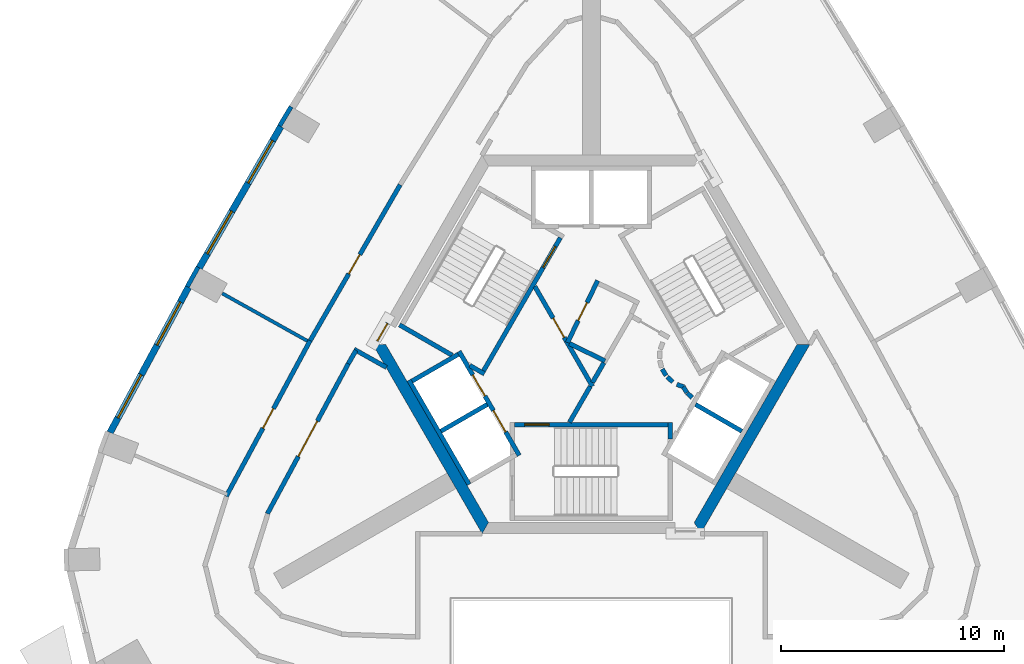
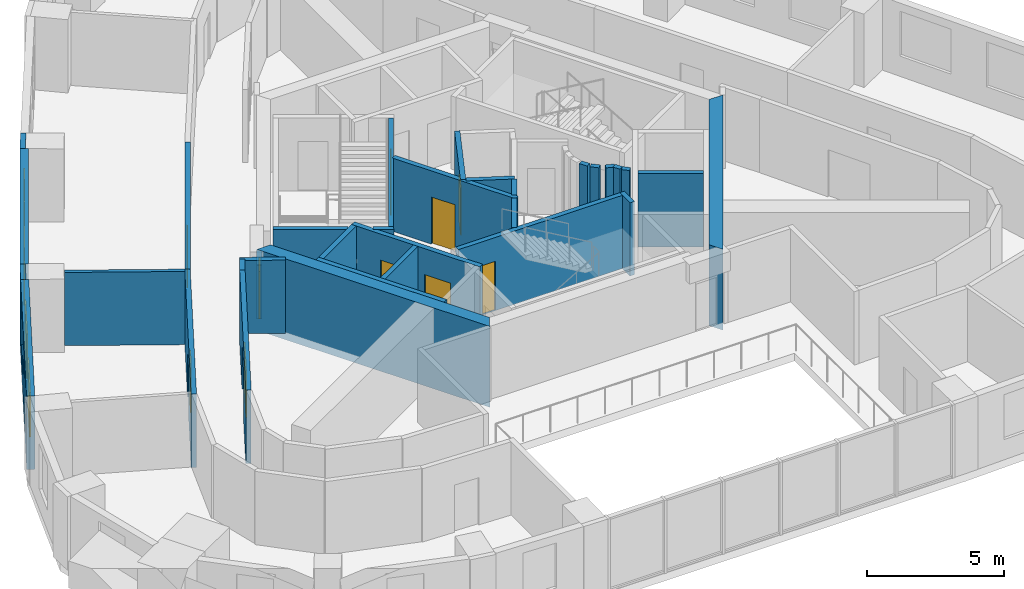
# One storey, part 4 of 9: 33 walls, 10 doors, 4 windows, 14 openings.
"""IFC4 building model written with IfcOpenShell, lengths in metres."""

from ifc_helpers import new_model, si_unit, direction, frame, frame_2d, origin, place, context, subcontext, project, spatial, polyline, rectangle, outline, extrude, material, layer, layer_set, type_object, element, fill, save


model = new_model("IFC4")

# Units and contexts
model_context = context("Model", 3, precision=1e-05, world=origin(), true_north=direction((0.0, 1.0)))
body_context = subcontext(model_context, "Body", "Model", "MODEL_VIEW")
ifc_project = project(units=[si_unit("LENGTHUNIT", "METRE"), si_unit("AREAUNIT", "SQUARE_METRE"), si_unit("VOLUMEUNIT", "CUBIC_METRE"), si_unit("PLANEANGLEUNIT", "RADIAN"), si_unit("MASSUNIT", "GRAM", prefix="KILO")], contexts=[model_context])

# Site, building, storey
site_placement = place(None, origin())
site = spatial("IfcSite", under=ifc_project, at=site_placement, CompositionType="ELEMENT")
building_placement = place(site_placement, origin())
building = spatial("IfcBuilding", under=site, at=building_placement, Name="Entoto Arch Interchange Tower", CompositionType="ELEMENT")
storey_placement = place(building_placement, frame((0.0, 0.0, 315.199951171875)))
storey = spatial("IfcBuildingStorey", under=building, at=storey_placement, Name="L74", CompositionType="ELEMENT", Elevation=315.199951171875)

# Wall, opening, door
ifc_material_1 = material(Name="Reinforced concrete C40/50", Category="concrete")
ifc_layer_1 = layer(ifc_material_1, 0.199951171875)
ifc_layer_set_1 = layer_set([ifc_layer_1], Name="Reinforced concrete C40/50")
wall_type_1 = type_object("IfcWallType", Name="CORE GAP INFILL WALL", PredefinedType="PARTITIONING", material=ifc_layer_set_1)
wall_1_placement = place(storey_placement, frame((-9.14990234375, 3.451904296875, 0.0), z_axis=(0.0, 0.0, 1.0), x_axis=(-0.500079945886, -0.865979242085, 0.0)))
wall_1 = element("IfcWall", 1, at=wall_1_placement, inside=storey, type_object=wall_type_1, Name="wall:L74:gap3", PredefinedType="PARTITIONING", context=body_context, shape_type="SweptSolid", body=[
    extrude(rectangle(XDim=0.926025390625, YDim=0.199951171875, at=frame_2d((0.462890625, 0.0))), origin(), (0.0, 0.0, 1.0), 2.400146484375),
])
opening_1_placement = place(wall_1_placement, frame((0.01708984375, 0.0, 0.0)))
opening_1 = element("IfcOpeningElement", 2, at=opening_1_placement, cuts=wall_1, Name="Opening L74-D93", PredefinedType="OPENING", context=body_context, shape_type="SweptSolid", body=[
    extrude(rectangle(XDim=0.89990234375, YDim=2.10009765625, at=frame_2d((0.449951171875, 1.050048828125))), frame((0.0, 0.10986328125, 0.0), z_axis=(0.0, -1.0, 0.0), x_axis=(1.0, 0.0, 0.0)), (0.0, 0.0, 1.0), 0.219970703125),
])
ifc_material_2 = material(Name="Fire-rated Steel S235 door and frame", Category="steel")
door_type_1 = type_object("IfcDoorType", Name="DOOR FD-09 900x2100", OperationType="SINGLE_SWING_LEFT", PredefinedType="DOOR", material=ifc_material_2)
door_1_placement = place(opening_1_placement, origin())
door_1 = element("IfcDoor", 3, at=door_1_placement, inside=storey, type_object=door_type_1, Name="door:L74:gap3", OperationType="SINGLE_SWING_LEFT", OverallHeight=2.10009765625, OverallWidth=0.89990234375, PredefinedType="DOOR", context=body_context, shape_type="SweptSolid", body=[
    extrude(rectangle(XDim=0.89990234375, YDim=2.10009765625, at=frame_2d((0.449951171875, 1.050048828125))), frame((0.0, 0.02490234375, 0.0), z_axis=(0.0, -1.0, 0.0), x_axis=(1.0, 0.0, 0.0)), (0.0, 0.0, 1.0), 0.050048828125),
])
fill(opening_1, door_1)

# Walls
ifc_material_3 = material(Name="Concrete C40/50", Category="concrete")
ifc_layer_2 = layer(ifc_material_3, 0.5)
ifc_layer_set_2 = layer_set([ifc_layer_2], Name="Concrete C40/50")
wall_type_2 = type_object("IfcWallType", Name="Core wall 500 C40/50", PredefinedType="SHEAR", material=ifc_layer_set_2)
wall_2_placement = place(storey_placement, frame((0.0, 0.0, -0.33984375)))
element("IfcWall", 4, at=wall_2_placement, inside=storey, type_object=wall_type_2, Name="Core wall SW L74", PredefinedType="SHEAR", context=body_context, shape_type="SweptSolid", body=[
    extrude(outline(polyline([(-9.81494140625, 2.5), (-4.906982421875, -6.0), (-4.618896484375, -5.5), (-9.238037109375, 2.5), (-9.81494140625, 2.5)])), origin(), (0.0, 0.0, 1.0), 3.599853515625),
])
wall_3_placement = place(storey_placement, frame((0.0, 0.0, -0.33984375)))
element("IfcWall", 5, at=wall_3_placement, inside=storey, type_object=wall_type_2, Name="Core wall SE L74", PredefinedType="SHEAR", context=body_context, shape_type="SweptSolid", body=[
    extrude(outline(polyline([(4.906982421875, -6.0), (9.81494140625, 2.5), (9.238037109375, 2.5), (4.618896484375, -5.5), (4.906982421875, -6.0)])), origin(), (0.0, 0.0, 1.0), 3.599853515625),
])

# Wall, openings, doors
ifc_layer_3 = layer(ifc_material_3, 0.199951171875)
ifc_layer_set_3 = layer_set([ifc_layer_3], Name="Concrete C40/50")
wall_type_3 = type_object("IfcWallType", Name="LIFT SHAFT WALL 200", PredefinedType="STANDARD", material=ifc_layer_set_3)
wall_4_placement = place(storey_placement, frame((-5.93994140625, 2.18798828125, 0.0), z_axis=(0.0, 0.0, 1.0), x_axis=(0.500034260056, -0.866005622828, 0.0)))
wall_4 = element("IfcWall", 6, at=wall_4_placement, inside=storey, type_object=wall_type_3, Name="Shaft wall SW1 front", PredefinedType="STANDARD", context=body_context, shape_type="SweptSolid", body=[
    extrude(rectangle(XDim=5.3994140625, YDim=0.199951171875, at=frame_2d((2.69970703125, 0.0))), origin(), (0.0, 0.0, 1.0), 3.260009765625),
])
opening_2_placement = place(wall_4_placement, frame((3.074951171875, 0.0, 0.0)))
opening_2 = element("IfcOpeningElement", 7, at=opening_2_placement, cuts=wall_4, Name="Opening LD-HR4-L74", PredefinedType="OPENING", context=body_context, shape_type="SweptSolid", body=[
    extrude(rectangle(XDim=1.10009765625, YDim=2.10009765625, at=frame_2d((0.550048828125, 1.050048828125))), frame((0.0, 0.10986328125, 0.0), z_axis=(0.0, -1.0, 0.0), x_axis=(1.0, 0.0, 0.0)), (0.0, 0.0, 1.0), 0.219970703125),
])
opening_3_placement = place(wall_4_placement, frame((1.22509765625, 0.0, 0.0)))
opening_3 = element("IfcOpeningElement", 8, at=opening_3_placement, cuts=wall_4, Name="Opening LD-FF2-L74", PredefinedType="OPENING", context=body_context, shape_type="SweptSolid", body=[
    extrude(rectangle(XDim=1.10009765625, YDim=2.10009765625, at=frame_2d((0.550048828125, 1.050048828125))), frame((0.0, 0.10986328125, 0.0), z_axis=(0.0, -1.0, 0.0), x_axis=(1.0, 0.0, 0.0)), (0.0, 0.0, 1.0), 0.219970703125),
])
ifc_material_4 = material(Name="Stainless steel 1.4301 panels", Category="steel")
door_type_2 = type_object("IfcDoorType", Name="LIFT LANDING DOOR LD1 1100x2100", OperationType="SLIDING_TO_LEFT", PredefinedType="DOOR", material=ifc_material_4)
door_2_placement = place(opening_2_placement, origin())
door_2 = element("IfcDoor", 9, at=door_2_placement, inside=storey, type_object=door_type_2, Name="Lift landing door HR4 L74", OperationType="SLIDING_TO_LEFT", OverallHeight=2.10009765625, OverallWidth=1.10009765625, PredefinedType="DOOR", context=body_context, shape_type="SweptSolid", body=[
    extrude(rectangle(XDim=1.10009765625, YDim=2.10009765625, at=frame_2d((0.550048828125, 1.050048828125))), frame((0.0, 0.02490234375, 0.0), z_axis=(0.0, -1.0, 0.0), x_axis=(1.0, 0.0, 0.0)), (0.0, 0.0, 1.0), 0.050048828125),
])
fill(opening_2, door_2)
door_3_placement = place(opening_3_placement, origin())
door_3 = element("IfcDoor", 10, at=door_3_placement, inside=storey, type_object=door_type_2, Name="Lift landing door FF2 L74", OperationType="SLIDING_TO_LEFT", OverallHeight=2.10009765625, OverallWidth=1.10009765625, PredefinedType="DOOR", context=body_context, shape_type="SweptSolid", body=[
    extrude(rectangle(XDim=1.10009765625, YDim=2.10009765625, at=frame_2d((0.550048828125, 1.050048828125))), frame((0.0, 0.02490234375, 0.0), z_axis=(0.0, -1.0, 0.0), x_axis=(1.0, 0.0, 0.0)), (0.0, 0.0, 1.0), 0.050048828125),
])
fill(opening_3, door_3)

# Walls
wall_5_placement = place(storey_placement, frame((-8.19189453125, 0.887939453125, 0.0), z_axis=(0.0, 0.0, 1.0), x_axis=(0.500034260056, -0.866005622828, 0.0)))
element("IfcWall", 11, at=wall_5_placement, inside=storey, type_object=wall_type_3, Name="Shaft wall SW1 back", PredefinedType="STANDARD", context=body_context, shape_type="SweptSolid", body=[
    extrude(rectangle(XDim=5.3994140625, YDim=0.199951171875, at=frame_2d((2.69970703125, 0.0))), origin(), (0.0, 0.0, 1.0), 3.260009765625),
])
for number, where, z_axis, x_axis, name in (
    (12, (-5.97705078125, 2.052001953125, 0.0), (0.0, 0.0, 1.0), (-0.865973769406, -0.500089422704, 0.0), "Shaft wall SW1 cross 1"),
    (13, (-4.677001953125, -0.199951171875, 0.0), (0.0, 0.0, 1.0), (-0.865973769406, -0.500089422704, 0.0), "Shaft wall SW1 cross 2"),
    (14, (4.677001953125, -0.199951171875, 0.0), (0.0, 0.0, 1.0), (0.865973769406, -0.500089422704, 0.0), "Shaft wall SE1 cross 2"),
):
    element("IfcWall", number, at=place(storey_placement, frame(where, z_axis=z_axis, x_axis=x_axis)), inside=storey, type_object=wall_type_3, Name=name, PredefinedType="STANDARD", context=body_context, shape_type="SweptSolid", body=[
        extrude(rectangle(XDim=2.3994140625, YDim=0.199951171875, at=frame_2d((1.19970703125, 0.0))), origin(), (0.0, 0.0, 1.0), 3.260009765625),
    ])
ifc_material_5 = material(Name="Gypsum board partition on steel studs", Category="steel")
ifc_layer_4 = layer(ifc_material_5, 0.14990234375)
ifc_layer_set_4 = layer_set([ifc_layer_4], Name="Gypsum board partition on steel studs")
wall_type_4 = type_object("IfcWallType", Name="PARTITION 150", PredefinedType="PARTITIONING", material=ifc_layer_set_4)
wall_6_placement = place(storey_placement, frame((-12.7509765625, 2.654052734375, 0.0), z_axis=(0.0, 0.0, 1.0), x_axis=(-0.873277679945, 0.487222837837, 0.0)))
element("IfcWall", 15, at=wall_6_placement, inside=storey, type_object=wall_type_4, Name="wall:L74:p073", PredefinedType="PARTITIONING", context=body_context, shape_type="SweptSolid", body=[
    extrude(rectangle(XDim=4.3798828125, YDim=0.14990234375, at=frame_2d((2.18994140625, 0.0))), origin(), (0.0, 0.0, 1.0), 3.260009765625),
])

# Wall, opening, door
ifc_layer_5 = layer(ifc_material_5, 0.199951171875)
ifc_layer_set_5 = layer_set([ifc_layer_5], Name="Gypsum board partition on steel studs")
wall_type_5 = type_object("IfcWallType", Name="PARTITION 200", PredefinedType="PARTITIONING", material=ifc_layer_set_5)
wall_7_placement = place(storey_placement, frame((0.284912109375, 5.364990234375, 0.0), z_axis=(0.0, 0.0, 1.0), x_axis=(-0.43840190643, -0.898779043168, 0.0)))
wall_7 = element("IfcWall", 16, at=wall_7_placement, inside=storey, type_object=wall_type_5, Name="wall:L74:p004", PredefinedType="PARTITIONING", context=body_context, shape_type="SweptSolid", body=[
    extrude(rectangle(XDim=3.099609375, YDim=0.199951171875, at=frame_2d((1.5498046875, 0.0))), origin(), (0.0, 0.0, 1.0), 3.260009765625),
])
opening_4_placement = place(wall_7_placement, frame((1.10009765625, 0.0, 0.0)))
opening_4 = element("IfcOpeningElement", 17, at=opening_4_placement, cuts=wall_7, Name="Opening L74-D14", PredefinedType="OPENING", context=body_context, shape_type="SweptSolid", body=[
    extrude(rectangle(XDim=0.89990234375, YDim=2.10009765625, at=frame_2d((0.449951171875, 1.050048828125))), frame((0.0, 0.10986328125, 0.0), z_axis=(0.0, -1.0, 0.0), x_axis=(1.0, 0.0, 0.0)), (0.0, 0.0, 1.0), 0.219970703125),
])
ifc_material_6 = material(Name="Timber door leaf in Steel S235 frame", Category="steel")
door_type_3 = type_object("IfcDoorType", Name="DOOR DS-09 900x2100", OperationType="SINGLE_SWING_LEFT", PredefinedType="DOOR", material=ifc_material_6)
door_4_placement = place(opening_4_placement, origin())
door_4 = element("IfcDoor", 18, at=door_4_placement, inside=storey, type_object=door_type_3, Name="door:L74:14", OperationType="SINGLE_SWING_RIGHT", OverallHeight=2.10009765625, OverallWidth=0.89990234375, PredefinedType="DOOR", context=body_context, shape_type="SweptSolid", body=[
    extrude(rectangle(XDim=0.89990234375, YDim=2.10009765625, at=frame_2d((0.449951171875, 1.050048828125))), frame((0.0, 0.02490234375, 0.0), z_axis=(0.0, -1.0, 0.0), x_axis=(1.0, 0.0, 0.0)), (0.0, 0.0, 1.0), 0.050048828125),
])
fill(opening_4, door_4)

# Walls
wall_8_placement = place(storey_placement, frame((-0.98388671875, 2.534912109375, 0.0), z_axis=(0.0, 0.0, 1.0), x_axis=(0.898707583217, -0.438548378025, 0.0)))
element("IfcWall", 19, at=wall_8_placement, inside=storey, type_object=wall_type_5, Name="wall:L74:p005", PredefinedType="PARTITIONING", context=body_context, shape_type="SweptSolid", body=[
    extrude(rectangle(XDim=1.773681640625, YDim=0.199951171875, at=frame_2d((0.88671875, 0.0))), origin(), (0.0, 0.0, 1.0), 3.260009765625),
])
wall_9_placement = place(storey_placement, frame((-9.202880859375, 1.465087890625, 0.0), z_axis=(0.0, 0.0, 1.0), x_axis=(-0.872341127106, 0.488897696823, 0.0)))
element("IfcWall", 20, at=wall_9_placement, inside=storey, type_object=wall_type_5, Name="wall:L74:p022", PredefinedType="PARTITIONING", context=body_context, shape_type="SweptSolid", body=[
    extrude(rectangle(XDim=1.6669921875, YDim=0.199951171875, at=frame_2d((0.83349609375, 0.0))), origin(), (0.0, 0.0, 1.0), 3.260009765625),
])
wall_10_placement = place(storey_placement, frame((-10.570068359375, 2.23193359375, 0.0), z_axis=(0.0, 0.0, 1.0), x_axis=(-0.500037208726, -0.86600392025, 0.0)))
element("IfcWall", 21, at=wall_10_placement, inside=storey, type_object=wall_type_5, Name="wall:L74:p023", PredefinedType="PARTITIONING", context=body_context, shape_type="SweptSolid", body=[
    extrude(rectangle(XDim=0.69384765625, YDim=0.199951171875, at=frame_2d((0.346923828125, 0.0))), origin(), (0.0, 0.0, 1.0), 3.260009765625),
])

# Wall, opening, door
wall_11_placement = place(storey_placement, frame((-10.9169921875, 1.631103515625, 0.0), z_axis=(0.0, 0.0, 1.0), x_axis=(-0.47449538478, -0.880257990491, 0.0)))
wall_11 = element("IfcWall", 22, at=wall_11_placement, inside=storey, type_object=wall_type_5, Name="wall:L74:p024", PredefinedType="PARTITIONING", context=body_context, shape_type="SweptSolid", body=[
    extrude(rectangle(XDim=7.654541015625, YDim=0.199951171875, at=frame_2d((3.8271484375, 0.0))), origin(), (0.0, 0.0, 1.0), 3.260009765625),
])
opening_5_placement = place(wall_11_placement, frame((2.927001953125, 0.0, 0.0)))
opening_5 = element("IfcOpeningElement", 23, at=opening_5_placement, cuts=wall_11, Name="Opening L74-D11", PredefinedType="OPENING", context=body_context, shape_type="SweptSolid", body=[
    extrude(rectangle(XDim=1.800048828125, YDim=2.10009765625, at=frame_2d((0.89990234375, 1.050048828125))), frame((0.0, 0.10986328125, 0.0), z_axis=(0.0, -1.0, 0.0), x_axis=(1.0, 0.0, 0.0)), (0.0, 0.0, 1.0), 0.219970703125),
])
door_type_4 = type_object("IfcDoorType", Name="DOOR DD-18 1800x2100", OperationType="DOUBLE_DOOR_SINGLE_SWING", PredefinedType="DOOR", material=ifc_material_6)
door_5_placement = place(opening_5_placement, origin())
door_5 = element("IfcDoor", 24, at=door_5_placement, inside=storey, type_object=door_type_4, Name="door:L74:11", OperationType="DOUBLE_DOOR_SINGLE_SWING", OverallHeight=2.10009765625, OverallWidth=1.800048828125, PredefinedType="DOOR", context=body_context, shape_type="SweptSolid", body=[
    extrude(rectangle(XDim=1.800048828125, YDim=2.10009765625, at=frame_2d((0.89990234375, 1.050048828125))), frame((0.0, 0.02490234375, 0.0), z_axis=(0.0, -1.0, 0.0), x_axis=(1.0, 0.0, 0.0)), (0.0, 0.0, 1.0), 0.050048828125),
])
fill(opening_5, door_5)

wall_12_placement = place(storey_placement, frame((-12.700927734375, 2.5400390625, 0.0), z_axis=(0.0, 0.0, 1.0), x_axis=(0.499946799636, 0.86605611685, 0.0)))
wall_12 = element("IfcWall", 25, at=wall_12_placement, inside=storey, type_object=wall_type_5, Name="wall:L74:p042", PredefinedType="PARTITIONING", context=body_context, shape_type="SweptSolid", body=[
    extrude(rectangle(XDim=8.22705078125, YDim=0.199951171875, at=frame_2d((4.113525390625, 0.0))), origin(), (0.0, 0.0, 1.0), 3.260009765625),
])
opening_6_placement = place(wall_12_placement, frame((3.613037109375, 0.0, 0.0)))
opening_6 = element("IfcOpeningElement", 26, at=opening_6_placement, cuts=wall_12, Name="Opening L74-D05", PredefinedType="OPENING", context=body_context, shape_type="SweptSolid", body=[
    extrude(rectangle(XDim=1.0, YDim=2.10009765625, at=frame_2d((0.5, 1.050048828125))), frame((0.0, 0.10986328125, 0.0), z_axis=(0.0, -1.0, 0.0), x_axis=(1.0, 0.0, 0.0)), (0.0, 0.0, 1.0), 0.219970703125),
])
door_type_5 = type_object("IfcDoorType", Name="DOOR DS-10 1000x2100", OperationType="SINGLE_SWING_LEFT", PredefinedType="DOOR", material=ifc_material_6)
door_6_placement = place(opening_6_placement, origin())
door_6 = element("IfcDoor", 27, at=door_6_placement, inside=storey, type_object=door_type_5, Name="door:L74:05", OperationType="SINGLE_SWING_RIGHT", OverallHeight=2.10009765625, OverallWidth=1.0, PredefinedType="DOOR", context=body_context, shape_type="SweptSolid", body=[
    extrude(rectangle(XDim=1.0, YDim=2.10009765625, at=frame_2d((0.5, 1.050048828125))), frame((0.0, 0.02490234375, 0.0), z_axis=(0.0, -1.0, 0.0), x_axis=(1.0, 0.0, 0.0)), (0.0, 0.0, 1.0), 0.050048828125),
])
fill(opening_6, door_6)

wall_13_placement = place(storey_placement, frame((-16.39892578125, -4.324951171875, 0.0), z_axis=(0.0, 0.0, 1.0), x_axis=(0.474489967676, 0.880260910512, 0.0)))
wall_13 = element("IfcWall", 28, at=wall_13_placement, inside=storey, type_object=wall_type_5, Name="wall:L74:p044", PredefinedType="PARTITIONING", context=body_context, shape_type="SweptSolid", body=[
    extrude(rectangle(XDim=7.947509765625, YDim=0.199951171875, at=frame_2d((3.9736328125, 0.0))), origin(), (0.0, 0.0, 1.0), 3.260009765625),
])
opening_7_placement = place(wall_13_placement, frame((3.47412109375, 0.0, 0.0)))
opening_7 = element("IfcOpeningElement", 29, at=opening_7_placement, cuts=wall_13, Name="Opening L74-D06", PredefinedType="OPENING", context=body_context, shape_type="SweptSolid", body=[
    extrude(rectangle(XDim=1.0, YDim=2.10009765625, at=frame_2d((0.5, 1.050048828125))), frame((0.0, 0.10986328125, 0.0), z_axis=(0.0, -1.0, 0.0), x_axis=(1.0, 0.0, 0.0)), (0.0, 0.0, 1.0), 0.219970703125),
])
door_7_placement = place(opening_7_placement, origin())
door_7 = element("IfcDoor", 30, at=door_7_placement, inside=storey, type_object=door_type_5, Name="door:L74:06", OperationType="SINGLE_SWING_LEFT", OverallHeight=2.10009765625, OverallWidth=1.0, PredefinedType="DOOR", context=body_context, shape_type="SweptSolid", body=[
    extrude(rectangle(XDim=1.0, YDim=2.10009765625, at=frame_2d((0.5, 1.050048828125))), frame((0.0, 0.02490234375, 0.0), z_axis=(0.0, -1.0, 0.0), x_axis=(1.0, 0.0, 0.0)), (0.0, 0.0, 1.0), 0.050048828125),
])
fill(opening_7, door_7)

# Walls
wall_14_placement = place(storey_placement, frame((-0.98193359375, -1.0, 0.0), z_axis=(0.0, 0.0, 1.0), x_axis=(0.50024047865, 0.865886518847, 0.0)))
element("IfcWall", 31, at=wall_14_placement, inside=storey, type_object=wall_type_5, Name="wall:L74:p050", PredefinedType="PARTITIONING", context=body_context, shape_type="SweptSolid", body=[
    extrude(rectangle(XDim=1.86279296875, YDim=0.199951171875, at=frame_2d((0.931396484375, 0.0))), origin(), (0.0, 0.0, 1.0), 3.260009765625),
])
wall_15_placement = place(storey_placement, frame((0.050048828125, 0.787109375, 0.0), z_axis=(0.0, 0.0, 1.0), x_axis=(0.499819111317, 0.866129814729, 0.0)))
element("IfcWall", 32, at=wall_15_placement, inside=storey, type_object=wall_type_5, Name="wall:L74:p051", PredefinedType="PARTITIONING", context=body_context, shape_type="SweptSolid", body=[
    extrude(rectangle(XDim=1.0205078125, YDim=0.199951171875, at=frame_2d((0.51025390625, 0.0))), origin(), (0.0, 0.0, 1.0), 3.260009765625),
])
for number, where, z_axis, x_axis, name in (
    (33, (3.181884765625, 1.387939453125, 0.0), (0.0, 0.0, 1.0), (0.512474702713, -0.85870232274, 0.0), "wall:L74:p056"),
    (34, (3.404052734375, 1.0390625, 0.0), (0.0, 0.0, 1.0), (0.740267097712, -0.672312891476, 0.0), "wall:L74:p057"),
):
    element("IfcWall", number, at=place(storey_placement, frame(where, z_axis=z_axis, x_axis=x_axis)), inside=storey, type_object=wall_type_5, Name=name, PredefinedType="PARTITIONING", context=body_context, shape_type="SweptSolid", body=[
        extrude(rectangle(XDim=0.337646484375, YDim=0.199951171875, at=frame_2d((0.1689453125, 0.0))), origin(), (0.0, 0.0, 1.0), 3.260009765625),
    ])
wall_16_placement = place(storey_placement, frame((3.837890625, 0.701904296875, 0.0), z_axis=(0.0, 0.0, 1.0), x_axis=(0.941035081519, -0.338308993895, 0.0)))
element("IfcWall", 35, at=wall_16_placement, inside=storey, type_object=wall_type_5, Name="wall:L74:p058", PredefinedType="PARTITIONING", context=body_context, shape_type="SweptSolid", body=[
    extrude(rectangle(XDim=0.3369140625, YDim=0.199951171875, at=frame_2d((0.16845703125, 0.0))), origin(), (0.0, 0.0, 1.0), 3.260009765625),
])
wall_17_placement = place(storey_placement, frame((4.132080078125, 0.593017578125, 0.0), z_axis=(0.0, 0.0, 1.0), x_axis=(0.513561617048, -0.858052717201, 0.0)))
element("IfcWall", 36, at=wall_17_placement, inside=storey, type_object=wall_type_5, Name="wall:L74:p059", PredefinedType="PARTITIONING", context=body_context, shape_type="SweptSolid", body=[
    extrude(rectangle(XDim=0.3076171875, YDim=0.199951171875, at=frame_2d((0.15380859375, 0.0))), origin(), (0.0, 0.0, 1.0), 3.260009765625),
])
wall_18_placement = place(storey_placement, frame((4.301025390625, 0.31494140625, 0.0), z_axis=(0.0, 0.0, 1.0), x_axis=(0.741798017506, -0.670623367639, 0.0)))
element("IfcWall", 37, at=wall_18_placement, inside=storey, type_object=wall_type_5, Name="wall:L74:p060", PredefinedType="PARTITIONING", context=body_context, shape_type="SweptSolid", body=[
    extrude(rectangle(XDim=0.30859375, YDim=0.199951171875, at=frame_2d((0.154296875, 0.0))), origin(), (0.0, 0.0, 1.0), 3.260009765625),
])

# Wall, opening, door
wall_19_placement = place(storey_placement, frame((-2.5400390625, 5.10009765625, 0.0), z_axis=(0.0, 0.0, 1.0), x_axis=(0.499925051871, -0.866068670783, 0.0)))
wall_19 = element("IfcWall", 38, at=wall_19_placement, inside=storey, type_object=wall_type_5, Name="wall:L74:p061", PredefinedType="PARTITIONING", context=body_context, shape_type="SweptSolid", body=[
    extrude(rectangle(XDim=5.180908203125, YDim=0.199951171875, at=frame_2d((2.59033203125, 0.0))), origin(), (0.0, 0.0, 1.0), 3.260009765625),
])
opening_8_placement = place(wall_19_placement, frame((1.639892578125, 0.0, 0.0)))
opening_8 = element("IfcOpeningElement", 39, at=opening_8_placement, cuts=wall_19, Name="Opening L74-D13", PredefinedType="OPENING", context=body_context, shape_type="SweptSolid", body=[
    extrude(rectangle(XDim=1.0, YDim=2.10009765625, at=frame_2d((0.5, 1.050048828125))), frame((0.0, 0.10986328125, 0.0), z_axis=(0.0, -1.0, 0.0), x_axis=(1.0, 0.0, 0.0)), (0.0, 0.0, 1.0), 0.219970703125),
])
door_type_6 = type_object("IfcDoorType", Name="DOOR FD-10 1000x2100", OperationType="SINGLE_SWING_LEFT", PredefinedType="DOOR", material=ifc_material_2)
door_8_placement = place(opening_8_placement, origin())
door_8 = element("IfcDoor", 40, at=door_8_placement, inside=storey, type_object=door_type_6, Name="door:L74:13", OperationType="SINGLE_SWING_RIGHT", OverallHeight=2.10009765625, OverallWidth=1.0, PredefinedType="DOOR", context=body_context, shape_type="SweptSolid", body=[
    extrude(rectangle(XDim=1.0, YDim=2.10009765625, at=frame_2d((0.5, 1.050048828125))), frame((0.0, 0.02490234375, 0.0), z_axis=(0.0, -1.0, 0.0), x_axis=(1.0, 0.0, 0.0)), (0.0, 0.0, 1.0), 0.050048828125),
])
fill(opening_8, door_8)

# Wall
ifc_layer_6 = layer(ifc_material_3, 0.199951171875)
ifc_layer_set_6 = layer_set([ifc_layer_6], Name="Concrete C40/50")
wall_type_6 = type_object("IfcWallType", Name="STAIR ENCLOSURE WALL 200", PredefinedType="STANDARD", material=ifc_layer_set_6)
wall_20_placement = place(storey_placement, frame((3.550048828125, -1.0, 0.0), z_axis=(0.0, 0.0, 1.0), x_axis=(0.0, -1.0, 0.0)))
element("IfcWall", 41, at=wall_20_placement, inside=storey, type_object=wall_type_6, Name="Stair wall ST-S far return", PredefinedType="STANDARD", context=body_context, shape_type="SweptSolid", body=[
    extrude(rectangle(XDim=0.7509765625, YDim=0.199951171875, at=frame_2d((0.37548828125, 0.0))), origin(), (0.0, 0.0, 1.0), 3.260009765625),
])

# Wall, opening, door
wall_21_placement = place(storey_placement, frame((-3.449951171875, -1.10009765625, 0.0), z_axis=(0.0, 0.0, 1.0), x_axis=(1.0, 0.0, 0.0)))
wall_21 = element("IfcWall", 42, at=wall_21_placement, inside=storey, type_object=wall_type_6, Name="Stair wall ST-S hall", PredefinedType="STANDARD", context=body_context, shape_type="SweptSolid", body=[
    extrude(rectangle(XDim=6.89990234375, YDim=0.199951171875, at=frame_2d((3.449951171875, 0.0))), origin(), (0.0, 0.0, 1.0), 3.260009765625),
])
opening_9_placement = place(wall_21_placement, frame((0.449951171875, 0.0, 0.0)))
opening_9 = element("IfcOpeningElement", 43, at=opening_9_placement, cuts=wall_21, Name="Opening SD-ST-S-L74", PredefinedType="OPENING", context=body_context, shape_type="SweptSolid", body=[
    extrude(rectangle(XDim=1.10009765625, YDim=2.199951171875, at=frame_2d((0.550048828125, 1.10009765625))), frame((0.0, 0.10986328125, 0.0), z_axis=(0.0, -1.0, 0.0), x_axis=(1.0, 0.0, 0.0)), (0.0, 0.0, 1.0), 0.219970703125),
])
ifc_material_7 = material(Name="Steel S235", Category="steel")
door_type_7 = type_object("IfcDoorType", Name="STAIR DOOR SD1 1100x2200", OperationType="SINGLE_SWING_LEFT", PredefinedType="DOOR", material=ifc_material_7)
door_9_placement = place(opening_9_placement, origin())
door_9 = element("IfcDoor", 44, at=door_9_placement, inside=storey, type_object=door_type_7, Name="Stair door ST-S L74", OperationType="SINGLE_SWING_LEFT", OverallHeight=2.199951171875, OverallWidth=1.10009765625, PredefinedType="DOOR", context=body_context, shape_type="SweptSolid", body=[
    extrude(rectangle(XDim=1.10009765625, YDim=2.199951171875, at=frame_2d((0.550048828125, 1.10009765625))), frame((0.0, 0.02490234375, 0.0), z_axis=(0.0, -1.0, 0.0), x_axis=(1.0, 0.0, 0.0)), (0.0, 0.0, 1.0), 0.050048828125),
])
fill(opening_9, door_9)

# Walls
wall_22_placement = place(storey_placement, frame((-6.25, 2.010009765625, 0.0), z_axis=(0.0, 0.0, 1.0), x_axis=(-0.86611865017, 0.499838457731, 0.0)))
element("IfcWall", 45, at=wall_22_placement, inside=storey, type_object=wall_type_6, Name="Stair wall ST-NW far", PredefinedType="STANDARD", context=body_context, shape_type="SweptSolid", body=[
    extrude(rectangle(XDim=2.73291015625, YDim=0.199951171875, at=frame_2d((1.366455078125, 0.0))), origin(), (0.0, 0.0, 1.0), 3.260009765625),
])
wall_23_placement = place(storey_placement, frame((-4.805908203125, 1.176025390625, 0.0), z_axis=(0.0, 0.0, 1.0), x_axis=(-0.866558586415, 0.499075361355, 0.0)))
element("IfcWall", 46, at=wall_23_placement, inside=storey, type_object=wall_type_6, Name="Stair wall ST-NW far return", PredefinedType="STANDARD", context=body_context, shape_type="SweptSolid", body=[
    extrude(rectangle(XDim=0.75146484375, YDim=0.199951171875, at=frame_2d((0.375732421875, 0.0))), origin(), (0.0, 0.0, 1.0), 3.260009765625),
])

# Wall, opening, door
wall_24_placement = place(storey_placement, frame((-1.39306640625, 7.2880859375, 0.0), z_axis=(0.0, 0.0, 1.0), x_axis=(-0.499963383562, -0.866046543262, 0.0)))
wall_24 = element("IfcWall", 47, at=wall_24_placement, inside=storey, type_object=wall_type_6, Name="Stair wall ST-NW hall", PredefinedType="STANDARD", context=body_context, shape_type="SweptSolid", body=[
    extrude(rectangle(XDim=6.900390625, YDim=0.199951171875, at=frame_2d((3.4501953125, 0.0))), origin(), (0.0, 0.0, 1.0), 3.260009765625),
])
opening_10_placement = place(wall_24_placement, frame((0.449951171875, 0.0, 0.0)))
opening_10 = element("IfcOpeningElement", 48, at=opening_10_placement, cuts=wall_24, Name="Opening SD-ST-NW-L74", PredefinedType="OPENING", context=body_context, shape_type="SweptSolid", body=[
    extrude(rectangle(XDim=1.10009765625, YDim=2.199951171875, at=frame_2d((0.550048828125, 1.10009765625))), frame((0.0, 0.10986328125, 0.0), z_axis=(0.0, -1.0, 0.0), x_axis=(1.0, 0.0, 0.0)), (0.0, 0.0, 1.0), 0.219970703125),
])
door_10_placement = place(opening_10_placement, origin())
door_10 = element("IfcDoor", 49, at=door_10_placement, inside=storey, type_object=door_type_7, Name="Stair door ST-NW L74", OperationType="SINGLE_SWING_LEFT", OverallHeight=2.199951171875, OverallWidth=1.10009765625, PredefinedType="DOOR", context=body_context, shape_type="SweptSolid", body=[
    extrude(rectangle(XDim=1.10009765625, YDim=2.199951171875, at=frame_2d((0.550048828125, 1.10009765625))), frame((0.0, 0.02490234375, 0.0), z_axis=(0.0, -1.0, 0.0), x_axis=(1.0, 0.0, 0.0)), (0.0, 0.0, 1.0), 0.050048828125),
])
fill(opening_10, door_10)

# Wall, openings, windows
ifc_material_8 = material(Name="Welded tuff (ignimbrite) cladding, warm buff", Category="masonry")
ifc_layer_7 = layer(ifc_material_8, 0.300048828125)
ifc_layer_set_7 = layer_set([ifc_layer_7], Name="Welded tuff (ignimbrite) cladding, warm buff")
wall_type_7 = type_object("IfcWallType", Name="STONE INFILL WALL 300", PredefinedType="STANDARD", material=ifc_layer_set_7)
wall_25_placement = place(storey_placement, frame((-13.947021484375, 12.282958984375, 0.0), z_axis=(0.0, 0.0, 1.0), x_axis=(-0.499923391538, -0.866069629183, 0.0)))
wall_25 = element("IfcWall", 50, at=wall_25_placement, inside=storey, type_object=wall_type_7, Name="Facade wall NW-02 L74", PredefinedType="STANDARD", context=body_context, shape_type="SweptSolid", body=[
    extrude(rectangle(XDim=7.327392578125, YDim=0.300048828125, at=frame_2d((3.66357421875, 0.0))), origin(), (0.0, 0.0, 1.0), 3.260009765625),
])
opening_11_placement = place(wall_25_placement, frame((0.73193359375, 0.0, 0.89990234375)))
opening_11 = element("IfcOpeningElement", 51, at=opening_11_placement, cuts=wall_25, Name="Opening WH-A", PredefinedType="OPENING", context=body_context, shape_type="SweptSolid", body=[
    extrude(rectangle(XDim=2.199951171875, YDim=2.0, at=frame_2d((1.10009765625, 1.0))), frame((0.0, 0.16015625, 0.0), z_axis=(0.0, -1.0, 0.0), x_axis=(1.0, 0.0, 0.0)), (0.0, 0.0, 1.0), 0.320068359375),
])
opening_12_placement = place(wall_25_placement, frame((4.39501953125, 0.0, 0.89990234375)))
opening_12 = element("IfcOpeningElement", 52, at=opening_12_placement, cuts=wall_25, Name="Opening WH-A", PredefinedType="OPENING", context=body_context, shape_type="SweptSolid", body=[
    extrude(rectangle(XDim=2.199951171875, YDim=2.0, at=frame_2d((1.10009765625, 1.0))), frame((0.0, 0.16015625, 0.0), z_axis=(0.0, -1.0, 0.0), x_axis=(1.0, 0.0, 0.0)), (0.0, 0.0, 1.0), 0.320068359375),
])
ifc_material_9 = material(Name="Clear glass, low-e double glazed", Category="glass")
window_type = type_object("IfcWindowType", Name="WINDOW WH-A 2200x2000", PartitioningType="DOUBLE_PANEL_VERTICAL", PredefinedType="WINDOW", material=ifc_material_9)
window_1_placement = place(opening_11_placement, origin())
window_1 = element("IfcWindow", 53, at=window_1_placement, inside=storey, type_object=window_type, Name="Window WH-A NW-02 L74", OverallHeight=2.0, OverallWidth=2.199951171875, PartitioningType="SINGLE_PANEL", PredefinedType="WINDOW", context=body_context, shape_type="SweptSolid", body=[
    extrude(rectangle(XDim=2.199951171875, YDim=2.0, at=frame_2d((1.10009765625, 1.0))), frame((0.0, 0.030029296875, 0.0), z_axis=(0.0, -1.0, 0.0), x_axis=(1.0, 0.0, 0.0)), (0.0, 0.0, 1.0), 0.06005859375),
])
fill(opening_11, window_1)
window_2_placement = place(opening_12_placement, origin())
window_2 = element("IfcWindow", 54, at=window_2_placement, inside=storey, type_object=window_type, Name="Window WH-A NW-02 L74", OverallHeight=2.0, OverallWidth=2.199951171875, PartitioningType="SINGLE_PANEL", PredefinedType="WINDOW", context=body_context, shape_type="SweptSolid", body=[
    extrude(rectangle(XDim=2.199951171875, YDim=2.0, at=frame_2d((1.10009765625, 1.0))), frame((0.0, 0.030029296875, 0.0), z_axis=(0.0, -1.0, 0.0), x_axis=(1.0, 0.0, 0.0)), (0.0, 0.0, 1.0), 0.06005859375),
])
fill(opening_12, window_2)

wall_26_placement = place(storey_placement, frame((-18.096923828125, 5.06591796875, 0.0), z_axis=(0.0, 0.0, 1.0), x_axis=(-0.474421773145, -0.880297666228, 0.0)))
wall_26 = element("IfcWall", 55, at=wall_26_placement, inside=storey, type_object=wall_type_7, Name="Facade wall NW-03 L74", PredefinedType="STANDARD", context=body_context, shape_type="SweptSolid", body=[
    extrude(rectangle(XDim=7.41552734375, YDim=0.300048828125, at=frame_2d((3.707763671875, 0.0))), origin(), (0.0, 0.0, 1.0), 3.260009765625),
])
opening_13_placement = place(wall_26_placement, frame((0.75390625, 0.0, 0.89990234375)))
opening_13 = element("IfcOpeningElement", 56, at=opening_13_placement, cuts=wall_26, Name="Opening WH-A", PredefinedType="OPENING", context=body_context, shape_type="SweptSolid", body=[
    extrude(rectangle(XDim=2.199951171875, YDim=2.0, at=frame_2d((1.10009765625, 1.0))), frame((0.0, 0.16015625, 0.0), z_axis=(0.0, -1.0, 0.0), x_axis=(1.0, 0.0, 0.0)), (0.0, 0.0, 1.0), 0.320068359375),
])
opening_14_placement = place(wall_26_placement, frame((4.4619140625, 0.0, 0.89990234375)))
opening_14 = element("IfcOpeningElement", 57, at=opening_14_placement, cuts=wall_26, Name="Opening WH-A", PredefinedType="OPENING", context=body_context, shape_type="SweptSolid", body=[
    extrude(rectangle(XDim=2.199951171875, YDim=2.0, at=frame_2d((1.10009765625, 1.0))), frame((0.0, 0.16015625, 0.0), z_axis=(0.0, -1.0, 0.0), x_axis=(1.0, 0.0, 0.0)), (0.0, 0.0, 1.0), 0.320068359375),
])
window_3_placement = place(opening_13_placement, origin())
window_3 = element("IfcWindow", 58, at=window_3_placement, inside=storey, type_object=window_type, Name="Window WH-A NW-03 L74", OverallHeight=2.0, OverallWidth=2.199951171875, PartitioningType="SINGLE_PANEL", PredefinedType="WINDOW", context=body_context, shape_type="SweptSolid", body=[
    extrude(rectangle(XDim=2.199951171875, YDim=2.0, at=frame_2d((1.10009765625, 1.0))), frame((0.0, 0.030029296875, 0.0), z_axis=(0.0, -1.0, 0.0), x_axis=(1.0, 0.0, 0.0)), (0.0, 0.0, 1.0), 0.06005859375),
])
fill(opening_13, window_3)
window_4_placement = place(opening_14_placement, origin())
window_4 = element("IfcWindow", 59, at=window_4_placement, inside=storey, type_object=window_type, Name="Window WH-A NW-03 L74", OverallHeight=2.0, OverallWidth=2.199951171875, PartitioningType="SINGLE_PANEL", PredefinedType="WINDOW", context=body_context, shape_type="SweptSolid", body=[
    extrude(rectangle(XDim=2.199951171875, YDim=2.0, at=frame_2d((1.10009765625, 1.0))), frame((0.0, 0.030029296875, 0.0), z_axis=(0.0, -1.0, 0.0), x_axis=(1.0, 0.0, 0.0)), (0.0, 0.0, 1.0), 0.06005859375),
])
fill(opening_14, window_4)

# Walls
ifc_layer_8 = layer(ifc_material_8, 0.199951171875)
ifc_layer_set_8 = layer_set([ifc_layer_8], Name="Welded tuff (ignimbrite) cladding, warm buff")
wall_type_8 = type_object("IfcWallType", Name="STONE PIER CLADDING 200", PredefinedType="STANDARD", material=ifc_layer_set_8)
wall_27_placement = place(storey_placement, frame((-13.48291015625, 13.169921875, 0.0), z_axis=(0.0, 0.0, 1.0), x_axis=(-0.514064933905, -0.857751271482, 0.0)))
element("IfcWall", 60, at=wall_27_placement, inside=storey, type_object=wall_type_8, Name="Stone pier NW02 L74", PredefinedType="STANDARD", context=body_context, shape_type="SweptSolid", body=[
    extrude(rectangle(XDim=1.000244140625, YDim=0.199951171875, at=frame_2d((0.5, 0.0))), origin(), (0.0, 0.0, 1.0), 3.260009765625),
])
wall_28_placement = place(storey_placement, frame((-17.660888671875, 5.966064453125, 0.0), z_axis=(0.0, 0.0, 1.0), x_axis=(-0.486036693078, -0.873938403425, 0.0)))
element("IfcWall", 61, at=wall_28_placement, inside=storey, type_object=wall_type_8, Name="Stone pier NW03 L74", PredefinedType="STANDARD", context=body_context, shape_type="SweptSolid", body=[
    extrude(rectangle(XDim=1.0, YDim=0.199951171875, at=frame_2d((0.5, 0.0))), origin(), (0.0, 0.0, 1.0), 3.260009765625),
])

save(model, "model.ifc")
